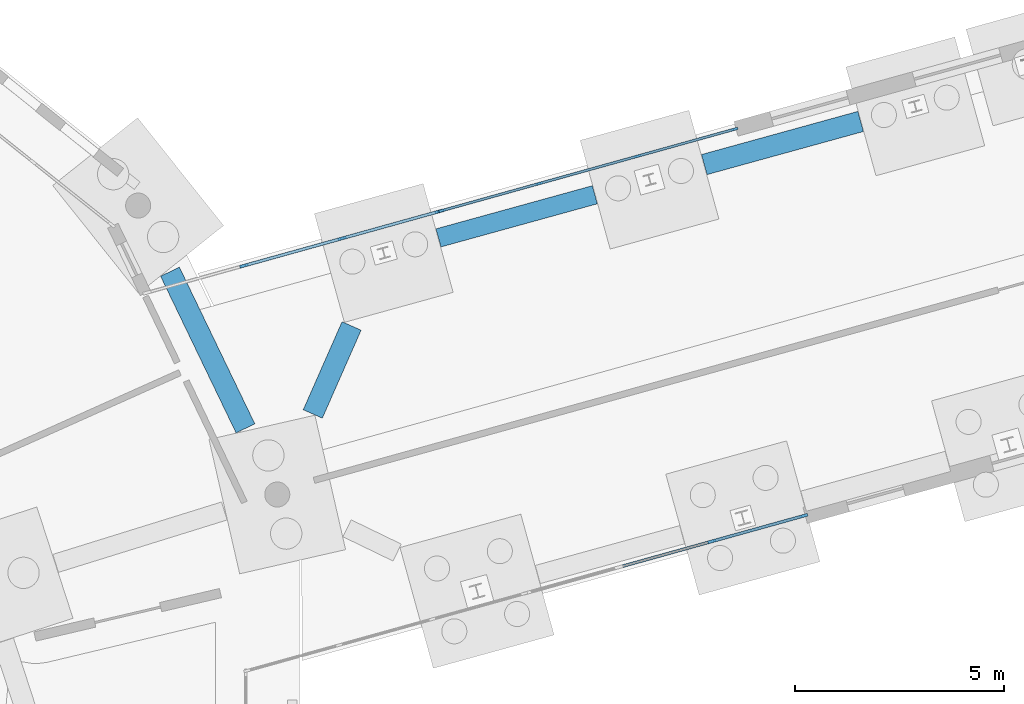
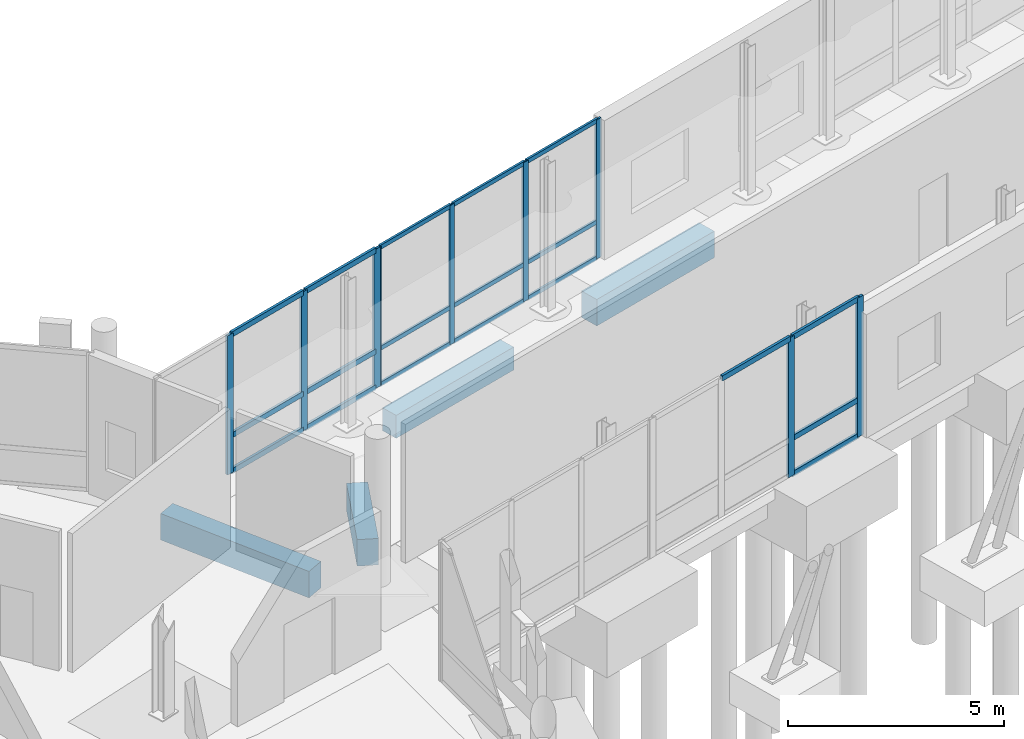
# One storey, part 31 of 113: 28 members, 4 beams, 3 elements without a shape of their own.
"""IFC4 building model written with IfcOpenShell, lengths in metres."""

from ifc_helpers import new_model, si_unit, direction, frame, origin, origin_2d, place, context, subcontext, project, spatial, rectangle, extrude, material, material_profile, profile_set, type_object, element, aggregate, save


model = new_model("IFC4")

# Units and contexts
model_context = context("Model", 3, precision=1e-05, world=origin(), true_north=direction((0.0, 1.0)))
body_context = subcontext(model_context, "Body", "Model", "MODEL_VIEW")
ifc_project = project(units=[si_unit("LENGTHUNIT", "METRE"), si_unit("AREAUNIT", "SQUARE_METRE"), si_unit("VOLUMEUNIT", "CUBIC_METRE"), si_unit("PLANEANGLEUNIT", "RADIAN"), si_unit("MASSUNIT", "GRAM", prefix="KILO")], contexts=[model_context])

# Site, building, storey
site_placement = place(None, origin())
site = spatial("IfcSite", under=ifc_project, at=site_placement, CompositionType="ELEMENT")
building_placement = place(site_placement, origin())
building = spatial("IfcBuilding", under=site, at=building_placement, Name="Wrenclough Park School", CompositionType="ELEMENT")
storey_placement = place(building_placement, origin())
storey = spatial("IfcBuildingStorey", under=building, at=storey_placement, Name="L00", CompositionType="ELEMENT", Elevation=0.0)

# Curtain wall, members
ifc_material_1 = material(Name="Thermally broken aluminium and low-e glass curtain wall", Category="aluminium")
curtain_wall_type_1 = type_object("IfcCurtainWallType", Name="ENV-CW-01", PredefinedType="USERDEFINED", material=ifc_material_1)
curtain_wall_1_placement = place(storey_placement, origin())
curtain_wall_1 = element("IfcCurtainWall", 1, at=curtain_wall_1_placement, inside=storey, type_object=curtain_wall_type_1, Name="L00 recessed curtain wall assembly 048", ObjectType="CURTAIN WALL", PredefinedType="USERDEFINED")
ifc_material_2 = material(Name="Thermally broken anodised aluminium", Category="aluminium")
ifc_material_profile_1 = material_profile(ifc_material_2, rectangle(XDim=0.06005859375, YDim=0.159912109375, at=origin_2d()), Name="AL MULLION 60x160")
ifc_profile_set_1 = profile_set([ifc_material_profile_1], Name="Thermally broken anodised aluminium")
member_type_1 = type_object("IfcMemberType", Name="ENV-CWM-1", PredefinedType="MULLION", material=ifc_profile_set_1)
member_1_placement = place(storey_placement, frame((57.261474609375, 34.134765625, 0.0), z_axis=(0.0, 0.0, 1.0), x_axis=(-0.268081523423, 0.963396230426, 0.0)))
member_1 = element("IfcMember", 2, at=member_1_placement, type_object=member_type_1, Name="CW-01 mullion 1", PredefinedType="MULLION", context=body_context, shape_type="SweptSolid", body=[
    extrude(rectangle(XDim=0.06005859375, YDim=0.159912109375, at=origin_2d()), origin(), (0.0, 0.0, 1.0), 3.93994140625),
])
member_2_placement = place(storey_placement, frame((59.586181640625, 34.78173828125, 0.0), z_axis=(0.0, 0.0, 1.0), x_axis=(-0.268081523423, 0.963396230426, 0.0)))
member_2 = element("IfcMember", 3, at=member_2_placement, type_object=member_type_1, Name="CW-01 mullion 2", PredefinedType="MULLION", context=body_context, shape_type="SweptSolid", body=[
    extrude(rectangle(XDim=0.06005859375, YDim=0.159912109375, at=origin_2d()), origin(), (0.0, 0.0, 1.0), 3.93994140625),
])
member_3_placement = place(storey_placement, frame((61.93994140625, 35.436767578125, 0.0), z_axis=(0.0, 0.0, 1.0), x_axis=(-0.268081523423, 0.963396230426, 0.0)))
member_3 = element("IfcMember", 4, at=member_3_placement, type_object=member_type_1, Name="CW-01 mullion 3", PredefinedType="MULLION", context=body_context, shape_type="SweptSolid", body=[
    extrude(rectangle(XDim=0.06005859375, YDim=0.159912109375, at=origin_2d()), origin(), (0.0, 0.0, 1.0), 3.93994140625),
])
member_4_placement = place(storey_placement, frame((64.264892578125, 36.083740234375, 0.0), z_axis=(0.0, 0.0, 1.0), x_axis=(-0.268081523423, 0.963396230426, 0.0)))
member_4 = element("IfcMember", 5, at=member_4_placement, type_object=member_type_1, Name="CW-01 mullion 4", PredefinedType="MULLION", context=body_context, shape_type="SweptSolid", body=[
    extrude(rectangle(XDim=0.06005859375, YDim=0.159912109375, at=origin_2d()), origin(), (0.0, 0.0, 1.0), 3.93994140625),
])

curtain_wall_type_2 = type_object("IfcCurtainWallType", Name="ENV-CW-10", PredefinedType="USERDEFINED", material=ifc_material_1)
curtain_wall_2_placement = place(storey_placement, origin())
curtain_wall_2 = element("IfcCurtainWall", 6, at=curtain_wall_2_placement, inside=storey, type_object=curtain_wall_type_2, Name="L00 recessed curtain wall assembly 041", ObjectType="CURTAIN WALL", PredefinedType="USERDEFINED")
ifc_material_profile_2 = material_profile(ifc_material_2, rectangle(XDim=0.070068359375, YDim=0.199951171875, at=origin_2d()), Name="AL MULLION 70x200")
ifc_profile_set_2 = profile_set([ifc_material_profile_2], Name="Thermally broken anodised aluminium")
member_type_2 = type_object("IfcMemberType", Name="ENV-CWM-3", PredefinedType="MULLION", material=ifc_profile_set_2)
member_5_placement = place(storey_placement, frame((65.917236328125, 26.827880859375, 0.0), z_axis=(0.0, 0.0, 1.0), x_axis=(0.268068815671, -0.963399766486, 0.0)))
member_5 = element("IfcMember", 7, at=member_5_placement, type_object=member_type_2, Name="CW-10 mullion 1", PredefinedType="MULLION", context=body_context, shape_type="SweptSolid", body=[
    extrude(rectangle(XDim=0.070068359375, YDim=0.199951171875, at=origin_2d()), origin(), (0.0, 0.0, 1.0), 3.93994140625),
])
member_6_placement = place(storey_placement, frame((63.7216796875, 26.217041015625, 0.0), z_axis=(0.0, 0.0, 1.0), x_axis=(0.268068815671, -0.963399766486, 0.0)))
member_6 = element("IfcMember", 8, at=member_6_placement, type_object=member_type_2, Name="CW-10 mullion 2", PredefinedType="MULLION", context=body_context, shape_type="SweptSolid", body=[
    extrude(rectangle(XDim=0.070068359375, YDim=0.199951171875, at=origin_2d()), origin(), (0.0, 0.0, 1.0), 3.93994140625),
])

curtain_wall_type_3 = type_object("IfcCurtainWallType", Name="ENV-CW-16", PredefinedType="USERDEFINED", material=ifc_material_1)
curtain_wall_3_placement = place(storey_placement, origin())
curtain_wall_3 = element("IfcCurtainWall", 9, at=curtain_wall_3_placement, inside=storey, type_object=curtain_wall_type_3, Name="L00 recessed curtain wall assembly 047", ObjectType="CURTAIN WALL", PredefinedType="USERDEFINED")
member_7_placement = place(storey_placement, frame((52.517333984375, 32.814697265625, 0.0), z_axis=(0.0, 0.0, 1.0), x_axis=(-0.268072383958, 0.963398773592, 0.0)))
member_7 = element("IfcMember", 10, at=member_7_placement, type_object=member_type_2, Name="CW-16 mullion 2", PredefinedType="MULLION", context=body_context, shape_type="SweptSolid", body=[
    extrude(rectangle(XDim=0.070068359375, YDim=0.199951171875, at=origin_2d()), origin(), (0.0, 0.0, 1.0), 3.93994140625),
])
member_8_placement = place(storey_placement, frame((54.87109375, 33.4697265625, 0.0), z_axis=(0.0, 0.0, 1.0), x_axis=(-0.268072383958, 0.963398773592, 0.0)))
member_8 = element("IfcMember", 11, at=member_8_placement, type_object=member_type_2, Name="CW-16 mullion 3", PredefinedType="MULLION", context=body_context, shape_type="SweptSolid", body=[
    extrude(rectangle(XDim=0.070068359375, YDim=0.199951171875, at=origin_2d()), origin(), (0.0, 0.0, 1.0), 3.93994140625),
])
member_9_placement = place(storey_placement, frame((57.19091796875, 34.115234375, 0.0), z_axis=(0.0, 0.0, 1.0), x_axis=(-0.268072383958, 0.963398773592, 0.0)))
member_9 = element("IfcMember", 12, at=member_9_placement, type_object=member_type_2, Name="CW-16 mullion 4", PredefinedType="MULLION", context=body_context, shape_type="SweptSolid", body=[
    extrude(rectangle(XDim=0.070068359375, YDim=0.199951171875, at=origin_2d()), origin(), (0.0, 0.0, 1.0), 3.93994140625),
])

# Member
ifc_material_profile_3 = material_profile(ifc_material_2, rectangle(XDim=0.06005859375, YDim=0.1201171875, at=origin_2d()), Name="AL TRANSOM 60x120")
ifc_profile_set_3 = profile_set([ifc_material_profile_3], Name="Thermally broken anodised aluminium")
member_type_3 = type_object("IfcMemberType", Name="ENV-CWT-1", PredefinedType="USERDEFINED", material=ifc_profile_set_3)
member_10_placement = place(storey_placement, frame((57.290283203125, 34.142822265625, 0.030029296875), z_axis=(0.963395929133, 0.268082606168, 0.0), x_axis=(-0.268082606168, 0.963395929133, 0.0)))
member_10 = element("IfcMember", 13, at=member_10_placement, type_object=member_type_3, Name="CW-01 transom 1.1", ObjectType="TRANSOM", PredefinedType="USERDEFINED", context=body_context, shape_type="SweptSolid", body=[
    extrude(rectangle(XDim=0.06005859375, YDim=0.1201171875, at=origin_2d()), origin(), (0.0, 0.0, 1.0), 2.353271484375),
])

member_11_placement = place(storey_placement, frame((57.290283203125, 34.142822265625, 1.050048828125), z_axis=(0.963395929133, 0.268082606168, 0.0), x_axis=(-0.268082606168, 0.963395929133, 0.0)))
member_11 = element("IfcMember", 14, at=member_11_placement, type_object=member_type_3, Name="CW-01 transom 1.2", ObjectType="TRANSOM", PredefinedType="USERDEFINED", context=body_context, shape_type="SweptSolid", body=[
    extrude(rectangle(XDim=0.06005859375, YDim=0.1201171875, at=origin_2d()), origin(), (0.0, 0.0, 1.0), 2.353271484375),
])

member_12_placement = place(storey_placement, frame((57.290283203125, 34.142822265625, 3.909912109375), z_axis=(0.963395929133, 0.268082606168, 0.0), x_axis=(-0.268082606168, 0.963395929133, 0.0)))
member_12 = element("IfcMember", 15, at=member_12_placement, type_object=member_type_3, Name="CW-01 transom 1.3", ObjectType="TRANSOM", PredefinedType="USERDEFINED", context=body_context, shape_type="SweptSolid", body=[
    extrude(rectangle(XDim=0.06005859375, YDim=0.1201171875, at=origin_2d()), origin(), (0.0, 0.0, 1.0), 2.353271484375),
])

member_13_placement = place(storey_placement, frame((59.615234375, 34.789794921875, 0.030029296875), z_axis=(0.963391581006, 0.268098231337, 0.0), x_axis=(-0.268098231337, 0.963391581006, 0.0)))
member_13 = element("IfcMember", 16, at=member_13_placement, type_object=member_type_3, Name="CW-01 transom 2.1", ObjectType="TRANSOM", PredefinedType="USERDEFINED", context=body_context, shape_type="SweptSolid", body=[
    extrude(rectangle(XDim=0.06005859375, YDim=0.1201171875, at=origin_2d()), origin(), (0.0, 0.0, 1.0), 2.383056640625),
])

member_14_placement = place(storey_placement, frame((59.615234375, 34.789794921875, 1.050048828125), z_axis=(0.963391581006, 0.268098231337, 0.0), x_axis=(-0.268098231337, 0.963391581006, 0.0)))
member_14 = element("IfcMember", 17, at=member_14_placement, type_object=member_type_3, Name="CW-01 transom 2.2", ObjectType="TRANSOM", PredefinedType="USERDEFINED", context=body_context, shape_type="SweptSolid", body=[
    extrude(rectangle(XDim=0.06005859375, YDim=0.1201171875, at=origin_2d()), origin(), (0.0, 0.0, 1.0), 2.383056640625),
])

member_15_placement = place(storey_placement, frame((59.615234375, 34.789794921875, 3.909912109375), z_axis=(0.963391581006, 0.268098231337, 0.0), x_axis=(-0.268098231337, 0.963391581006, 0.0)))
member_15 = element("IfcMember", 18, at=member_15_placement, type_object=member_type_3, Name="CW-01 transom 2.3", ObjectType="TRANSOM", PredefinedType="USERDEFINED", context=body_context, shape_type="SweptSolid", body=[
    extrude(rectangle(XDim=0.06005859375, YDim=0.1201171875, at=origin_2d()), origin(), (0.0, 0.0, 1.0), 2.383056640625),
])

member_16_placement = place(storey_placement, frame((61.96875, 35.44482421875, 0.030029296875), z_axis=(0.963395929133, 0.268082606168, 0.0), x_axis=(-0.268082606168, 0.963395929133, 0.0)))
member_16 = element("IfcMember", 19, at=member_16_placement, type_object=member_type_3, Name="CW-01 transom 3.1", ObjectType="TRANSOM", PredefinedType="USERDEFINED", context=body_context, shape_type="SweptSolid", body=[
    extrude(rectangle(XDim=0.06005859375, YDim=0.1201171875, at=origin_2d()), origin(), (0.0, 0.0, 1.0), 2.353271484375),
])

member_17_placement = place(storey_placement, frame((61.96875, 35.44482421875, 1.050048828125), z_axis=(0.963395929133, 0.268082606168, 0.0), x_axis=(-0.268082606168, 0.963395929133, 0.0)))
member_17 = element("IfcMember", 20, at=member_17_placement, type_object=member_type_3, Name="CW-01 transom 3.2", ObjectType="TRANSOM", PredefinedType="USERDEFINED", context=body_context, shape_type="SweptSolid", body=[
    extrude(rectangle(XDim=0.06005859375, YDim=0.1201171875, at=origin_2d()), origin(), (0.0, 0.0, 1.0), 2.353271484375),
])

member_18_placement = place(storey_placement, frame((61.96875, 35.44482421875, 3.909912109375), z_axis=(0.963395929133, 0.268082606168, 0.0), x_axis=(-0.268082606168, 0.963395929133, 0.0)))
member_18 = element("IfcMember", 21, at=member_18_placement, type_object=member_type_3, Name="CW-01 transom 3.3", ObjectType="TRANSOM", PredefinedType="USERDEFINED", context=body_context, shape_type="SweptSolid", body=[
    extrude(rectangle(XDim=0.06005859375, YDim=0.1201171875, at=origin_2d()), origin(), (0.0, 0.0, 1.0), 2.353271484375),
])

aggregate(curtain_wall_1, [member_1, member_2, member_3, member_4, member_10, member_11, member_12, member_13, member_14, member_15, member_16, member_17, member_18])

ifc_material_profile_4 = material_profile(ifc_material_2, rectangle(XDim=0.070068359375, YDim=0.14990234375, at=origin_2d()), Name="AL TRANSOM 70x150")
ifc_profile_set_4 = profile_set([ifc_material_profile_4], Name="Thermally broken anodised aluminium")
member_type_4 = type_object("IfcMemberType", Name="ENV-CWT-3", PredefinedType="USERDEFINED", material=ifc_profile_set_4)
member_19_placement = place(storey_placement, frame((65.883544921875, 26.818603515625, 0.034912109375), z_axis=(-0.963386375093, -0.268116937705, 0.0), x_axis=(0.268116937705, -0.963386375093, 0.0)))
member_19 = element("IfcMember", 22, at=member_19_placement, type_object=member_type_4, Name="CW-10 transom 1.1", ObjectType="TRANSOM", PredefinedType="USERDEFINED", context=body_context, shape_type="SweptSolid", body=[
    extrude(rectangle(XDim=0.070068359375, YDim=0.14990234375, at=origin_2d()), origin(), (0.0, 0.0, 1.0), 2.208984375),
])

member_20_placement = place(storey_placement, frame((65.883544921875, 26.818603515625, 1.050048828125), z_axis=(-0.963386375093, -0.268116937705, 0.0), x_axis=(0.268116937705, -0.963386375093, 0.0)))
member_20 = element("IfcMember", 23, at=member_20_placement, type_object=member_type_4, Name="CW-10 transom 1.2", ObjectType="TRANSOM", PredefinedType="USERDEFINED", context=body_context, shape_type="SweptSolid", body=[
    extrude(rectangle(XDim=0.070068359375, YDim=0.14990234375, at=origin_2d()), origin(), (0.0, 0.0, 1.0), 2.208984375),
])

member_21_placement = place(storey_placement, frame((65.883544921875, 26.818603515625, 3.905029296875), z_axis=(-0.963386375093, -0.268116937705, 0.0), x_axis=(0.268116937705, -0.963386375093, 0.0)))
member_21 = element("IfcMember", 24, at=member_21_placement, type_object=member_type_4, Name="CW-10 transom 1.3", ObjectType="TRANSOM", PredefinedType="USERDEFINED", context=body_context, shape_type="SweptSolid", body=[
    extrude(rectangle(XDim=0.070068359375, YDim=0.14990234375, at=origin_2d()), origin(), (0.0, 0.0, 1.0), 2.208984375),
])

member_22_placement = place(storey_placement, frame((63.68798828125, 26.20751953125, 3.905029296875), z_axis=(-0.963425886953, -0.267974924852, 0.0), x_axis=(0.267974924852, -0.963425886953, 0.0)))
member_22 = element("IfcMember", 25, at=member_22_placement, type_object=member_type_4, Name="CW-10 transom 2.3", ObjectType="TRANSOM", PredefinedType="USERDEFINED", context=body_context, shape_type="SweptSolid", body=[
    extrude(rectangle(XDim=0.070068359375, YDim=0.14990234375, at=origin_2d()), origin(), (0.0, 0.0, 1.0), 2.243896484375),
])

aggregate(curtain_wall_2, [member_5, member_6, member_19, member_20, member_21, member_22])

member_23_placement = place(storey_placement, frame((52.551025390625, 32.82421875, 0.034912109375), z_axis=(0.963422047637, 0.267988727613, 0.0), x_axis=(-0.267988727613, 0.963422047637, 0.0)))
member_23 = element("IfcMember", 26, at=member_23_placement, type_object=member_type_4, Name="CW-16 transom 2.1", ObjectType="TRANSOM", PredefinedType="USERDEFINED", context=body_context, shape_type="SweptSolid", body=[
    extrude(rectangle(XDim=0.070068359375, YDim=0.14990234375, at=origin_2d()), origin(), (0.0, 0.0, 1.0), 2.373291015625),
])

member_24_placement = place(storey_placement, frame((52.551025390625, 32.82421875, 1.050048828125), z_axis=(0.963422047637, 0.267988727613, 0.0), x_axis=(-0.267988727613, 0.963422047637, 0.0)))
member_24 = element("IfcMember", 27, at=member_24_placement, type_object=member_type_4, Name="CW-16 transom 2.2", ObjectType="TRANSOM", PredefinedType="USERDEFINED", context=body_context, shape_type="SweptSolid", body=[
    extrude(rectangle(XDim=0.070068359375, YDim=0.14990234375, at=origin_2d()), origin(), (0.0, 0.0, 1.0), 2.373291015625),
])

member_25_placement = place(storey_placement, frame((52.551025390625, 32.82421875, 3.905029296875), z_axis=(0.963422047637, 0.267988727613, 0.0), x_axis=(-0.267988727613, 0.963422047637, 0.0)))
member_25 = element("IfcMember", 28, at=member_25_placement, type_object=member_type_4, Name="CW-16 transom 2.3", ObjectType="TRANSOM", PredefinedType="USERDEFINED", context=body_context, shape_type="SweptSolid", body=[
    extrude(rectangle(XDim=0.070068359375, YDim=0.14990234375, at=origin_2d()), origin(), (0.0, 0.0, 1.0), 2.373291015625),
])

member_26_placement = place(storey_placement, frame((54.90478515625, 33.47900390625, 0.034912109375), z_axis=(0.963404124586, 0.268053152809, 0.0), x_axis=(-0.268053152809, 0.963404124586, 0.0)))
member_26 = element("IfcMember", 29, at=member_26_placement, type_object=member_type_4, Name="CW-16 transom 3.1", ObjectType="TRANSOM", PredefinedType="USERDEFINED", context=body_context, shape_type="SweptSolid", body=[
    extrude(rectangle(XDim=0.070068359375, YDim=0.14990234375, at=origin_2d()), origin(), (0.0, 0.0, 1.0), 2.337890625),
])

member_27_placement = place(storey_placement, frame((54.90478515625, 33.47900390625, 1.050048828125), z_axis=(0.963404124586, 0.268053152809, 0.0), x_axis=(-0.268053152809, 0.963404124586, 0.0)))
member_27 = element("IfcMember", 30, at=member_27_placement, type_object=member_type_4, Name="CW-16 transom 3.2", ObjectType="TRANSOM", PredefinedType="USERDEFINED", context=body_context, shape_type="SweptSolid", body=[
    extrude(rectangle(XDim=0.070068359375, YDim=0.14990234375, at=origin_2d()), origin(), (0.0, 0.0, 1.0), 2.337890625),
])

member_28_placement = place(storey_placement, frame((54.90478515625, 33.47900390625, 3.905029296875), z_axis=(0.963404124586, 0.268053152809, 0.0), x_axis=(-0.268053152809, 0.963404124586, 0.0)))
member_28 = element("IfcMember", 31, at=member_28_placement, type_object=member_type_4, Name="CW-16 transom 3.3", ObjectType="TRANSOM", PredefinedType="USERDEFINED", context=body_context, shape_type="SweptSolid", body=[
    extrude(rectangle(XDim=0.070068359375, YDim=0.14990234375, at=origin_2d()), origin(), (0.0, 0.0, 1.0), 2.337890625),
])

aggregate(curtain_wall_3, [member_7, member_8, member_9, member_23, member_24, member_25, member_26, member_27, member_28])

# Beams
ifc_material_3 = material(Name="Concrete C35/45", Category="concrete")
ifc_material_profile_5 = material_profile(ifc_material_3, rectangle(XDim=0.449951171875, YDim=0.64990234375, at=origin_2d()), Name="RC GROUND 450x650")
ifc_profile_set_5 = profile_set([ifc_material_profile_5], Name="Concrete C35/45")
beam_type_1 = type_object("IfcBeamType", Name="STR-BM-GTB1", PredefinedType="USERDEFINED", material=ifc_profile_set_5)
beam_1_placement = place(storey_placement, frame((60.91943359375, 34.513916015625, -0.625), z_axis=(-0.964002619367, -0.265892741257, 0.0), x_axis=(0.265892741257, -0.964002619367, 0.0)))
element("IfcBeam", 32, at=beam_1_placement, inside=storey, type_object=beam_type_1, Name="Reinforced concrete ground tie beam 025", ObjectType="GROUND TIE BEAM", PredefinedType="USERDEFINED", context=body_context, shape_type="SweptSolid", body=[
    extrude(rectangle(XDim=0.449951171875, YDim=0.64990234375, at=origin_2d()), origin(), (0.0, 0.0, 1.0), 3.884033203125),
])
ifc_material_profile_6 = material_profile(ifc_material_3, rectangle(XDim=0.5, YDim=0.75, at=origin_2d()), Name="RC GROUND 500x750")
ifc_profile_set_6 = profile_set([ifc_material_profile_6], Name="Concrete C35/45")
beam_type_2 = type_object("IfcBeamType", Name="STR-BM-GTB2", PredefinedType="USERDEFINED", material=ifc_profile_set_6)
beam_2_placement = place(storey_placement, frame((55.09619140625, 31.373779296875, -0.675048828125), z_axis=(-0.403313980988, -0.915061655157, 0.0), x_axis=(0.915061655157, -0.403313980988, 0.0)))
element("IfcBeam", 33, at=beam_2_placement, inside=storey, type_object=beam_type_2, Name="Reinforced concrete ground tie beam 022", ObjectType="GROUND TIE BEAM", PredefinedType="USERDEFINED", context=body_context, shape_type="SweptSolid", body=[
    extrude(rectangle(XDim=0.5, YDim=0.75, at=origin_2d()), origin(), (0.0, 0.0, 1.0), 2.30322265625),
])
beam_3_placement = place(storey_placement, frame((63.53759765625, 35.236083984375, -0.675048828125), z_axis=(0.964007063015, 0.265876630146, 0.0), x_axis=(-0.265876630146, 0.964007063015, 0.0)))
element("IfcBeam", 34, at=beam_3_placement, inside=storey, type_object=beam_type_2, Name="Reinforced concrete ground tie beam 024", ObjectType="GROUND TIE BEAM", PredefinedType="USERDEFINED", context=body_context, shape_type="SweptSolid", body=[
    extrude(rectangle(XDim=0.5, YDim=0.75, at=origin_2d()), origin(), (0.0, 0.0, 1.0), 3.88427734375),
])
beam_4_placement = place(storey_placement, frame((50.748779296875, 32.672607421875, -0.675048828125), z_axis=(0.433889660358, -0.900966016359, 0.0), x_axis=(0.900966016359, 0.433889660358, 0.0)))
element("IfcBeam", 35, at=beam_4_placement, inside=storey, type_object=beam_type_2, Name="Reinforced concrete ground tie beam 052", ObjectType="GROUND TIE BEAM", PredefinedType="USERDEFINED", context=body_context, shape_type="SweptSolid", body=[
    extrude(rectangle(XDim=0.5, YDim=0.75, at=origin_2d()), origin(), (0.0, 0.0, 1.0), 4.163818359375),
])

save(model, "model.ifc")
